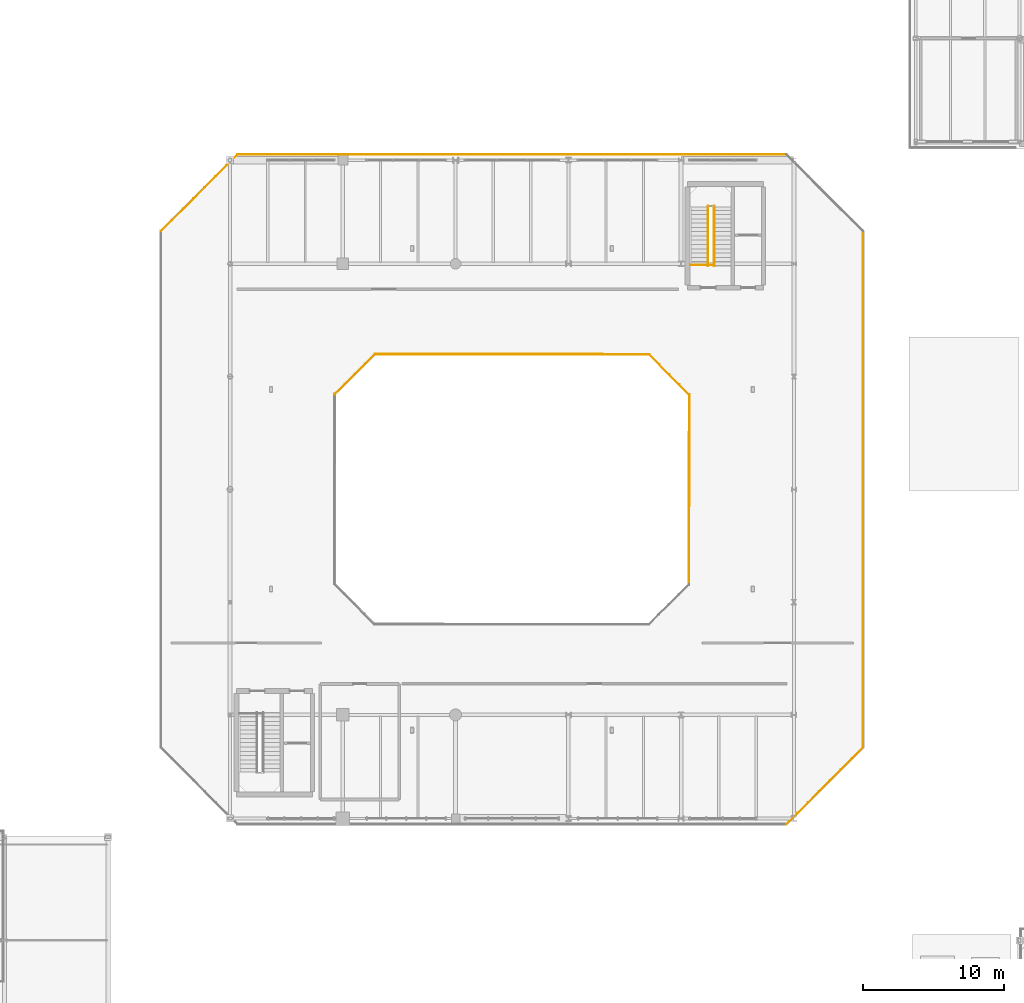
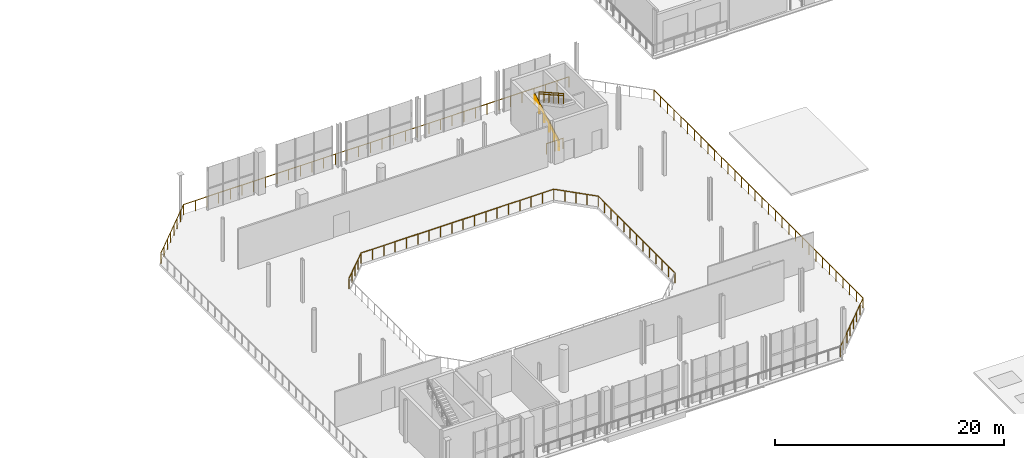
# One storey, part 48 of 51: 13 railings.
"""IFC4 building model written with IfcOpenShell, lengths in metres."""

from ifc_helpers import new_model, si_unit, direction, frame, origin, origin_2d, place, context, subcontext, project, spatial, circle, extrude, material, type_object, element, save


model = new_model("IFC4")

# Units and contexts
model_context = context("Model", 3, precision=1e-05, world=origin(), true_north=direction((0.0, 1.0)))
body_context = subcontext(model_context, "Body", "Model", "MODEL_VIEW")
ifc_project = project(units=[si_unit("LENGTHUNIT", "METRE"), si_unit("AREAUNIT", "SQUARE_METRE"), si_unit("VOLUMEUNIT", "CUBIC_METRE"), si_unit("PLANEANGLEUNIT", "RADIAN"), si_unit("MASSUNIT", "GRAM", prefix="KILO")], contexts=[model_context])

# Site, building, storey
site_placement = place(None, origin())
site = spatial("IfcSite", under=ifc_project, at=site_placement, CompositionType="ELEMENT")
building_placement = place(site_placement, origin())
building = spatial("IfcBuilding", under=site, at=building_placement, Name="Brisemont Oceanarium", CompositionType="ELEMENT")
storey_placement = place(building_placement, frame((0.0, 0.0, 15.0)))
storey = spatial("IfcBuildingStorey", under=building, at=storey_placement, Name="L03", CompositionType="ELEMENT", Elevation=15.0)

# Railings
ifc_material_1 = material(Name="Duplex Stainless Steel EN 1.4462", Category="steel")
railing_type_1 = type_object("IfcRailingType", Name="RLG-GUARD-1120", PredefinedType="GUARDRAIL", material=ifc_material_1)
railing_1_placement = place(storey_placement, frame((96.669921875, 71.909912109375, 0.0)))
element("IfcRailing", 1, at=railing_1_placement, inside=storey, type_object=railing_type_1, Name="ST-02 L03 landing edge guard", PredefinedType="GUARDRAIL", context=body_context, shape_type="SweptSolid", body=[
    extrude(circle(Radius=0.02392578125, at=origin_2d()), frame((0.0, 0.0, 1.09619140625), z_axis=(1.0, 0.0, 0.0), x_axis=(0.0, 1.0, 0.0)), (0.0, 0.0, 1.0), 1.68017578125),
    extrude(circle(Radius=0.02099609375, at=origin_2d()), origin(), (0.0, 0.0, 1.0), 1.072021484375),
    extrude(circle(Radius=0.02099609375, at=origin_2d()), frame((0.840087890625, 0.0, 0.0)), (0.0, 0.0, 1.0), 1.072021484375),
    extrude(circle(Radius=0.02099609375, at=origin_2d()), frame((1.68017578125, 0.0, 0.0)), (0.0, 0.0, 1.0), 1.072021484375),
])
railing_2_placement = place(storey_placement, frame((97.909912109375, 71.85009765625, 0.0)))
element("IfcRailing", 2, at=railing_2_placement, inside=storey, type_object=railing_type_1, Name="ST-02 L03 F1 well guard", PredefinedType="GUARDRAIL", context=body_context, shape_type="SweptSolid", body=[
    extrude(circle(Radius=0.02392578125, at=origin_2d()), frame((0.0, 0.0, 1.09619140625), z_axis=(0.0, 0.870762133844, 0.491704490791), x_axis=(-1.0, 0.0, 0.0)), (0.0, 0.0, 1.0), 4.880859375),
    extrude(circle(Radius=0.02099609375, at=origin_2d()), origin(), (0.0, 0.0, 1.0), 1.072021484375),
    extrude(circle(Radius=0.02099609375, at=origin_2d()), frame((0.0, 0.85009765625, 0.47998046875)), (0.0, 0.0, 1.0), 1.072021484375),
    extrude(circle(Radius=0.02099609375, at=origin_2d()), frame((0.0, 1.699951171875, 0.9599609375)), (0.0, 0.0, 1.0), 1.072021484375),
    extrude(circle(Radius=0.02099609375, at=origin_2d()), frame((0.0, 2.550048828125, 1.43994140625)), (0.0, 0.0, 1.0), 1.072021484375),
    extrude(circle(Radius=0.02099609375, at=origin_2d()), frame((0.0, 3.39990234375, 1.919921875)), (0.0, 0.0, 1.0), 1.072021484375),
    extrude(circle(Radius=0.02099609375, at=origin_2d()), frame((0.0, 4.25, 2.39990234375)), (0.0, 0.0, 1.0), 1.072021484375),
])
railing_3_placement = place(storey_placement, frame((98.35009765625, 76.10009765625, 2.39990234375)))
element("IfcRailing", 3, at=railing_3_placement, inside=storey, type_object=railing_type_1, Name="ST-02 L03 F2 well guard", PredefinedType="GUARDRAIL", context=body_context, shape_type="SweptSolid", body=[
    extrude(circle(Radius=0.02392578125, at=origin_2d()), frame((0.0, 0.0, 1.09619140625), z_axis=(0.0, -0.870740716755, 0.491742416499), x_axis=(1.0, 0.0, 0.0)), (0.0, 0.0, 1.0), 4.880859375),
    extrude(circle(Radius=0.02099609375, at=origin_2d()), origin(), (0.0, 0.0, 1.0), 1.072021484375),
    extrude(circle(Radius=0.02099609375, at=origin_2d()), frame((0.0, -0.85009765625, 0.47998046875)), (0.0, 0.0, 1.0), 1.072021484375),
    extrude(circle(Radius=0.02099609375, at=origin_2d()), frame((0.0, -1.699951171875, 0.9599609375)), (0.0, 0.0, 1.0), 1.072021484375),
    extrude(circle(Radius=0.02099609375, at=origin_2d()), frame((0.0, -2.550048828125, 1.440185546875)), (0.0, 0.0, 1.0), 1.072021484375),
    extrude(circle(Radius=0.02099609375, at=origin_2d()), frame((0.0, -3.39990234375, 1.920166015625)), (0.0, 0.0, 1.0), 1.072021484375),
    extrude(circle(Radius=0.02099609375, at=origin_2d()), frame((0.0, -4.25, 2.400146484375)), (0.0, 0.0, 1.0), 1.072021484375),
])
railing_4_placement = place(storey_placement, frame((59.090087890625, 74.312744140625, 0.0)))
element("IfcRailing", 4, at=railing_4_placement, inside=storey, type_object=railing_type_1, Name="L03 slab perimeter safety guard 210", PredefinedType="GUARDRAIL", context=body_context, shape_type="SweptSolid", body=[
    extrude(circle(Radius=0.02392578125, at=origin_2d()), frame((0.0, 0.0, 1.09619140625), z_axis=(0.707106781187, 0.707106781187, 0.0), x_axis=(-0.707106781187, 0.707106781187, 0.0)), (0.0, 0.0, 1.0), 7.70361328125),
    extrude(circle(Radius=0.02099609375, at=origin_2d()), origin(), (0.0, 0.0, 1.0), 1.072021484375),
    extrude(circle(Radius=0.02099609375, at=origin_2d()), frame((0.778076171875, 0.778076171875, 0.0)), (0.0, 0.0, 1.0), 1.072021484375),
    extrude(circle(Radius=0.02099609375, at=origin_2d()), frame((1.556396484375, 1.556396484375, 0.0)), (0.0, 0.0, 1.0), 1.072021484375),
    extrude(circle(Radius=0.02099609375, at=origin_2d()), frame((2.33447265625, 2.33447265625, 0.0)), (0.0, 0.0, 1.0), 1.072021484375),
    extrude(circle(Radius=0.02099609375, at=origin_2d()), frame((3.11279296875, 3.11279296875, 0.0)), (0.0, 0.0, 1.0), 1.072021484375),
    extrude(circle(Radius=0.02099609375, at=origin_2d()), frame((3.890869140625, 3.890869140625, 0.0)), (0.0, 0.0, 1.0), 1.072021484375),
    extrude(circle(Radius=0.02099609375, at=origin_2d()), frame((4.669189453125, 4.669189453125, 0.0)), (0.0, 0.0, 1.0), 1.072021484375),
    extrude(circle(Radius=0.02099609375, at=origin_2d()), frame((5.447265625, 5.447265625, 0.0)), (0.0, 0.0, 1.0), 1.072021484375),
])
railing_5_placement = place(storey_placement, frame((64.537353515625, 79.760009765625, 0.0)))
element("IfcRailing", 5, at=railing_5_placement, inside=storey, type_object=railing_type_1, Name="L03 slab perimeter safety guard 211", PredefinedType="GUARDRAIL", context=body_context, shape_type="SweptSolid", body=[
    extrude(circle(Radius=0.02392578125, at=origin_2d()), frame((0.0, 0.0, 1.09619140625), z_axis=(1.0, 0.0, 0.0), x_axis=(0.0, 1.0, 0.0)), (0.0, 0.0, 1.0), 38.92529296875),
    extrude(circle(Radius=0.02099609375, at=origin_2d()), origin(), (0.0, 0.0, 1.0), 1.072021484375),
    extrude(circle(Radius=0.02099609375, at=origin_2d()), frame((1.179443359375, 0.0, 0.0)), (0.0, 0.0, 1.0), 1.072021484375),
    extrude(circle(Radius=0.02099609375, at=origin_2d()), frame((2.359130859375, 0.0, 0.0)), (0.0, 0.0, 1.0), 1.072021484375),
    extrude(circle(Radius=0.02099609375, at=origin_2d()), frame((3.53857421875, 0.0, 0.0)), (0.0, 0.0, 1.0), 1.072021484375),
    extrude(circle(Radius=0.02099609375, at=origin_2d()), frame((4.71826171875, 0.0, 0.0)), (0.0, 0.0, 1.0), 1.072021484375),
    extrude(circle(Radius=0.02099609375, at=origin_2d()), frame((5.897705078125, 0.0, 0.0)), (0.0, 0.0, 1.0), 1.072021484375),
    extrude(circle(Radius=0.02099609375, at=origin_2d()), frame((7.077392578125, 0.0, 0.0)), (0.0, 0.0, 1.0), 1.072021484375),
    extrude(circle(Radius=0.02099609375, at=origin_2d()), frame((8.2568359375, 0.0, 0.0)), (0.0, 0.0, 1.0), 1.072021484375),
    extrude(circle(Radius=0.02099609375, at=origin_2d()), frame((9.4365234375, 0.0, 0.0)), (0.0, 0.0, 1.0), 1.072021484375),
    extrude(circle(Radius=0.02099609375, at=origin_2d()), frame((10.615966796875, 0.0, 0.0)), (0.0, 0.0, 1.0), 1.072021484375),
    extrude(circle(Radius=0.02099609375, at=origin_2d()), frame((11.795654296875, 0.0, 0.0)), (0.0, 0.0, 1.0), 1.072021484375),
    extrude(circle(Radius=0.02099609375, at=origin_2d()), frame((12.97509765625, 0.0, 0.0)), (0.0, 0.0, 1.0), 1.072021484375),
    extrude(circle(Radius=0.02099609375, at=origin_2d()), frame((14.154541015625, 0.0, 0.0)), (0.0, 0.0, 1.0), 1.072021484375),
    extrude(circle(Radius=0.02099609375, at=origin_2d()), frame((15.334228515625, 0.0, 0.0)), (0.0, 0.0, 1.0), 1.072021484375),
    extrude(circle(Radius=0.02099609375, at=origin_2d()), frame((16.513671875, 0.0, 0.0)), (0.0, 0.0, 1.0), 1.072021484375),
    extrude(circle(Radius=0.02099609375, at=origin_2d()), frame((17.693359375, 0.0, 0.0)), (0.0, 0.0, 1.0), 1.072021484375),
    extrude(circle(Radius=0.02099609375, at=origin_2d()), frame((18.872802734375, 0.0, 0.0)), (0.0, 0.0, 1.0), 1.072021484375),
    extrude(circle(Radius=0.02099609375, at=origin_2d()), frame((20.052490234375, 0.0, 0.0)), (0.0, 0.0, 1.0), 1.072021484375),
    extrude(circle(Radius=0.02099609375, at=origin_2d()), frame((21.23193359375, 0.0, 0.0)), (0.0, 0.0, 1.0), 1.072021484375),
    extrude(circle(Radius=0.02099609375, at=origin_2d()), frame((22.41162109375, 0.0, 0.0)), (0.0, 0.0, 1.0), 1.072021484375),
    extrude(circle(Radius=0.02099609375, at=origin_2d()), frame((23.591064453125, 0.0, 0.0)), (0.0, 0.0, 1.0), 1.072021484375),
    extrude(circle(Radius=0.02099609375, at=origin_2d()), frame((24.770751953125, 0.0, 0.0)), (0.0, 0.0, 1.0), 1.072021484375),
    extrude(circle(Radius=0.02099609375, at=origin_2d()), frame((25.9501953125, 0.0, 0.0)), (0.0, 0.0, 1.0), 1.072021484375),
    extrude(circle(Radius=0.02099609375, at=origin_2d()), frame((27.129638671875, 0.0, 0.0)), (0.0, 0.0, 1.0), 1.072021484375),
    extrude(circle(Radius=0.02099609375, at=origin_2d()), frame((28.309326171875, 0.0, 0.0)), (0.0, 0.0, 1.0), 1.072021484375),
    extrude(circle(Radius=0.02099609375, at=origin_2d()), frame((29.48876953125, 0.0, 0.0)), (0.0, 0.0, 1.0), 1.072021484375),
    extrude(circle(Radius=0.02099609375, at=origin_2d()), frame((30.66845703125, 0.0, 0.0)), (0.0, 0.0, 1.0), 1.072021484375),
    extrude(circle(Radius=0.02099609375, at=origin_2d()), frame((31.847900390625, 0.0, 0.0)), (0.0, 0.0, 1.0), 1.072021484375),
    extrude(circle(Radius=0.02099609375, at=origin_2d()), frame((33.027587890625, 0.0, 0.0)), (0.0, 0.0, 1.0), 1.072021484375),
    extrude(circle(Radius=0.02099609375, at=origin_2d()), frame((34.20703125, 0.0, 0.0)), (0.0, 0.0, 1.0), 1.072021484375),
    extrude(circle(Radius=0.02099609375, at=origin_2d()), frame((35.38671875, 0.0, 0.0)), (0.0, 0.0, 1.0), 1.072021484375),
    extrude(circle(Radius=0.02099609375, at=origin_2d()), frame((36.566162109375, 0.0, 0.0)), (0.0, 0.0, 1.0), 1.072021484375),
    extrude(circle(Radius=0.02099609375, at=origin_2d()), frame((37.745849609375, 0.0, 0.0)), (0.0, 0.0, 1.0), 1.072021484375),
    extrude(circle(Radius=0.02099609375, at=origin_2d()), frame((38.92529296875, 0.0, 0.0)), (0.0, 0.0, 1.0), 1.072021484375),
])
railing_6_placement = place(storey_placement, frame((108.909912109375, 74.312744140625, 0.0)))
element("IfcRailing", 6, at=railing_6_placement, inside=storey, type_object=railing_type_1, Name="L03 slab perimeter safety guard 213", PredefinedType="GUARDRAIL", context=body_context, shape_type="SweptSolid", body=[
    extrude(circle(Radius=0.02392578125, at=origin_2d()), frame((0.0, 0.0, 1.09619140625), z_axis=(0.0, -1.0, 0.0), x_axis=(1.0, 0.0, 0.0)), (0.0, 0.0, 1.0), 36.62548828125),
    extrude(circle(Radius=0.02099609375, at=origin_2d()), origin(), (0.0, 0.0, 1.0), 1.072021484375),
    extrude(circle(Radius=0.02099609375, at=origin_2d()), frame((0.0, -1.181396484375, 0.0)), (0.0, 0.0, 1.0), 1.072021484375),
    extrude(circle(Radius=0.02099609375, at=origin_2d()), frame((0.0, -2.363037109375, 0.0)), (0.0, 0.0, 1.0), 1.072021484375),
    extrude(circle(Radius=0.02099609375, at=origin_2d()), frame((0.0, -3.54443359375, 0.0)), (0.0, 0.0, 1.0), 1.072021484375),
    extrude(circle(Radius=0.02099609375, at=origin_2d()), frame((0.0, -4.725830078125, 0.0)), (0.0, 0.0, 1.0), 1.072021484375),
    extrude(circle(Radius=0.02099609375, at=origin_2d()), frame((0.0, -5.9072265625, 0.0)), (0.0, 0.0, 1.0), 1.072021484375),
    extrude(circle(Radius=0.02099609375, at=origin_2d()), frame((0.0, -7.0888671875, 0.0)), (0.0, 0.0, 1.0), 1.072021484375),
    extrude(circle(Radius=0.02099609375, at=origin_2d()), frame((0.0, -8.270263671875, 0.0)), (0.0, 0.0, 1.0), 1.072021484375),
    extrude(circle(Radius=0.02099609375, at=origin_2d()), frame((0.0, -9.45166015625, 0.0)), (0.0, 0.0, 1.0), 1.072021484375),
    extrude(circle(Radius=0.02099609375, at=origin_2d()), frame((0.0, -10.63330078125, 0.0)), (0.0, 0.0, 1.0), 1.072021484375),
    extrude(circle(Radius=0.02099609375, at=origin_2d()), frame((0.0, -11.814697265625, 0.0)), (0.0, 0.0, 1.0), 1.072021484375),
    extrude(circle(Radius=0.02099609375, at=origin_2d()), frame((0.0, -12.99609375, 0.0)), (0.0, 0.0, 1.0), 1.072021484375),
    extrude(circle(Radius=0.02099609375, at=origin_2d()), frame((0.0, -14.177490234375, 0.0)), (0.0, 0.0, 1.0), 1.072021484375),
    extrude(circle(Radius=0.02099609375, at=origin_2d()), frame((0.0, -15.359130859375, 0.0)), (0.0, 0.0, 1.0), 1.072021484375),
    extrude(circle(Radius=0.02099609375, at=origin_2d()), frame((0.0, -16.54052734375, 0.0)), (0.0, 0.0, 1.0), 1.072021484375),
    extrude(circle(Radius=0.02099609375, at=origin_2d()), frame((0.0, -17.721923828125, 0.0)), (0.0, 0.0, 1.0), 1.072021484375),
    extrude(circle(Radius=0.02099609375, at=origin_2d()), frame((0.0, -18.903564453125, 0.0)), (0.0, 0.0, 1.0), 1.072021484375),
    extrude(circle(Radius=0.02099609375, at=origin_2d()), frame((0.0, -20.0849609375, 0.0)), (0.0, 0.0, 1.0), 1.072021484375),
    extrude(circle(Radius=0.02099609375, at=origin_2d()), frame((0.0, -21.266357421875, 0.0)), (0.0, 0.0, 1.0), 1.072021484375),
    extrude(circle(Radius=0.02099609375, at=origin_2d()), frame((0.0, -22.447998046875, 0.0)), (0.0, 0.0, 1.0), 1.072021484375),
    extrude(circle(Radius=0.02099609375, at=origin_2d()), frame((0.0, -23.62939453125, 0.0)), (0.0, 0.0, 1.0), 1.072021484375),
    extrude(circle(Radius=0.02099609375, at=origin_2d()), frame((0.0, -24.810791015625, 0.0)), (0.0, 0.0, 1.0), 1.072021484375),
    extrude(circle(Radius=0.02099609375, at=origin_2d()), frame((0.0, -25.9921875, 0.0)), (0.0, 0.0, 1.0), 1.072021484375),
    extrude(circle(Radius=0.02099609375, at=origin_2d()), frame((0.0, -27.173828125, 0.0)), (0.0, 0.0, 1.0), 1.072021484375),
    extrude(circle(Radius=0.02099609375, at=origin_2d()), frame((0.0, -28.355224609375, 0.0)), (0.0, 0.0, 1.0), 1.072021484375),
    extrude(circle(Radius=0.02099609375, at=origin_2d()), frame((0.0, -29.53662109375, 0.0)), (0.0, 0.0, 1.0), 1.072021484375),
    extrude(circle(Radius=0.02099609375, at=origin_2d()), frame((0.0, -30.71826171875, 0.0)), (0.0, 0.0, 1.0), 1.072021484375),
    extrude(circle(Radius=0.02099609375, at=origin_2d()), frame((0.0, -31.899658203125, 0.0)), (0.0, 0.0, 1.0), 1.072021484375),
    extrude(circle(Radius=0.02099609375, at=origin_2d()), frame((0.0, -33.0810546875, 0.0)), (0.0, 0.0, 1.0), 1.072021484375),
    extrude(circle(Radius=0.02099609375, at=origin_2d()), frame((0.0, -34.262451171875, 0.0)), (0.0, 0.0, 1.0), 1.072021484375),
    extrude(circle(Radius=0.02099609375, at=origin_2d()), frame((0.0, -35.444091796875, 0.0)), (0.0, 0.0, 1.0), 1.072021484375),
    extrude(circle(Radius=0.02099609375, at=origin_2d()), frame((0.0, -36.62548828125, 0.0)), (0.0, 0.0, 1.0), 1.072021484375),
])
railing_7_placement = place(storey_placement, frame((108.909912109375, 37.687255859375, 0.0)))
element("IfcRailing", 7, at=railing_7_placement, inside=storey, type_object=railing_type_1, Name="L03 slab perimeter safety guard 214", PredefinedType="GUARDRAIL", context=body_context, shape_type="SweptSolid", body=[
    extrude(circle(Radius=0.02392578125, at=origin_2d()), frame((0.0, 0.0, 1.09619140625), z_axis=(-0.707106781187, -0.707106781187, 0.0), x_axis=(0.707106781187, -0.707106781187, 0.0)), (0.0, 0.0, 1.0), 7.70361328125),
    extrude(circle(Radius=0.02099609375, at=origin_2d()), origin(), (0.0, 0.0, 1.0), 1.072021484375),
    extrude(circle(Radius=0.02099609375, at=origin_2d()), frame((-0.778076171875, -0.778076171875, 0.0)), (0.0, 0.0, 1.0), 1.072021484375),
    extrude(circle(Radius=0.02099609375, at=origin_2d()), frame((-1.556396484375, -1.556396484375, 0.0)), (0.0, 0.0, 1.0), 1.072021484375),
    extrude(circle(Radius=0.02099609375, at=origin_2d()), frame((-2.33447265625, -2.33447265625, 0.0)), (0.0, 0.0, 1.0), 1.072021484375),
    extrude(circle(Radius=0.02099609375, at=origin_2d()), frame((-3.11279296875, -3.11279296875, 0.0)), (0.0, 0.0, 1.0), 1.072021484375),
    extrude(circle(Radius=0.02099609375, at=origin_2d()), frame((-3.890869140625, -3.890869140625, 0.0)), (0.0, 0.0, 1.0), 1.072021484375),
    extrude(circle(Radius=0.02099609375, at=origin_2d()), frame((-4.669189453125, -4.669189453125, 0.0)), (0.0, 0.0, 1.0), 1.072021484375),
    extrude(circle(Radius=0.02099609375, at=origin_2d()), frame((-5.447265625, -5.447265625, 0.0)), (0.0, 0.0, 1.0), 1.072021484375),
])
railing_8_placement = place(storey_placement, frame((96.557861328125, 49.23046875, 0.0)))
element("IfcRailing", 8, at=railing_8_placement, inside=storey, type_object=railing_type_1, Name="L03 slab perimeter safety guard 217", PredefinedType="GUARDRAIL", context=body_context, shape_type="SweptSolid", body=[
    extrude(circle(Radius=0.02392578125, at=origin_2d()), frame((0.0, 0.0, 1.09619140625), z_axis=(0.002282313327, 0.99999739552, 0.0), x_axis=(-0.99999739552, 0.002282313327, 0.0)), (0.0, 0.0, 1.0), 13.478271484375),
    extrude(circle(Radius=0.02099609375, at=origin_2d()), origin(), (0.0, 0.0, 1.0), 1.072021484375),
    extrude(circle(Radius=0.02099609375, at=origin_2d()), frame((0.00244140625, 1.123291015625, 0.0)), (0.0, 0.0, 1.0), 1.072021484375),
    extrude(circle(Radius=0.02099609375, at=origin_2d()), frame((0.005126953125, 2.246337890625, 0.0)), (0.0, 0.0, 1.0), 1.072021484375),
    extrude(circle(Radius=0.02099609375, at=origin_2d()), frame((0.0078125, 3.36962890625, 0.0)), (0.0, 0.0, 1.0), 1.072021484375),
    extrude(circle(Radius=0.02099609375, at=origin_2d()), frame((0.01025390625, 4.49267578125, 0.0)), (0.0, 0.0, 1.0), 1.072021484375),
    extrude(circle(Radius=0.02099609375, at=origin_2d()), frame((0.0126953125, 5.615966796875, 0.0)), (0.0, 0.0, 1.0), 1.072021484375),
    extrude(circle(Radius=0.02099609375, at=origin_2d()), frame((0.015380859375, 6.7392578125, 0.0)), (0.0, 0.0, 1.0), 1.072021484375),
    extrude(circle(Radius=0.02099609375, at=origin_2d()), frame((0.01806640625, 7.8623046875, 0.0)), (0.0, 0.0, 1.0), 1.072021484375),
    extrude(circle(Radius=0.02099609375, at=origin_2d()), frame((0.0205078125, 8.985595703125, 0.0)), (0.0, 0.0, 1.0), 1.072021484375),
    extrude(circle(Radius=0.02099609375, at=origin_2d()), frame((0.02294921875, 10.108642578125, 0.0)), (0.0, 0.0, 1.0), 1.072021484375),
    extrude(circle(Radius=0.02099609375, at=origin_2d()), frame((0.025634765625, 11.23193359375, 0.0)), (0.0, 0.0, 1.0), 1.072021484375),
    extrude(circle(Radius=0.02099609375, at=origin_2d()), frame((0.0283203125, 12.35498046875, 0.0)), (0.0, 0.0, 1.0), 1.072021484375),
    extrude(circle(Radius=0.02099609375, at=origin_2d()), frame((0.03076171875, 13.478271484375, 0.0)), (0.0, 0.0, 1.0), 1.072021484375),
])
railing_9_placement = place(storey_placement, frame((96.588623046875, 62.708740234375, 0.0)))
element("IfcRailing", 9, at=railing_9_placement, inside=storey, type_object=railing_type_1, Name="L03 slab perimeter safety guard 218", PredefinedType="GUARDRAIL", context=body_context, shape_type="SweptSolid", body=[
    extrude(circle(Radius=0.02392578125, at=origin_2d()), frame((0.0, 0.0, 1.09619140625), z_axis=(-0.704045165241, 0.710155198038, 0.0), x_axis=(-0.710155198038, -0.704045165241, 0.0)), (0.0, 0.0, 1.0), 4.03564453125),
    extrude(circle(Radius=0.02099609375, at=origin_2d()), origin(), (0.0, 0.0, 1.0), 1.072021484375),
    extrude(circle(Radius=0.02099609375, at=origin_2d()), frame((-0.71044921875, 0.716552734375, 0.0)), (0.0, 0.0, 1.0), 1.072021484375),
    extrude(circle(Radius=0.02099609375, at=origin_2d()), frame((-1.420654296875, 1.43310546875, 0.0)), (0.0, 0.0, 1.0), 1.072021484375),
    extrude(circle(Radius=0.02099609375, at=origin_2d()), frame((-2.130859375, 2.1494140625, 0.0)), (0.0, 0.0, 1.0), 1.072021484375),
    extrude(circle(Radius=0.02099609375, at=origin_2d()), frame((-2.84130859375, 2.865966796875, 0.0)), (0.0, 0.0, 1.0), 1.072021484375),
])
railing_10_placement = place(storey_placement, frame((93.747314453125, 65.57470703125, 0.0)))
element("IfcRailing", 10, at=railing_10_placement, inside=storey, type_object=railing_type_1, Name="L03 slab perimeter safety guard 219", PredefinedType="GUARDRAIL", context=body_context, shape_type="SweptSolid", body=[
    extrude(circle(Radius=0.02392578125, at=origin_2d()), frame((0.0, 0.0, 1.09619140625), z_axis=(-0.999999735099, 0.000727874914, 0.0), x_axis=(-0.000727874914, -0.999999735099, 0.0)), (0.0, 0.0, 1.0), 19.4541015625),
    extrude(circle(Radius=0.02099609375, at=origin_2d()), origin(), (0.0, 0.0, 1.0), 1.072021484375),
    extrude(circle(Radius=0.02099609375, at=origin_2d()), frame((-1.144287109375, 0.000732421875, 0.0)), (0.0, 0.0, 1.0), 1.072021484375),
    extrude(circle(Radius=0.02099609375, at=origin_2d()), frame((-2.288818359375, 0.001708984375, 0.0)), (0.0, 0.0, 1.0), 1.072021484375),
    extrude(circle(Radius=0.02099609375, at=origin_2d()), frame((-3.43310546875, 0.00244140625, 0.0)), (0.0, 0.0, 1.0), 1.072021484375),
    extrude(circle(Radius=0.02099609375, at=origin_2d()), frame((-4.577392578125, 0.00341796875, 0.0)), (0.0, 0.0, 1.0), 1.072021484375),
    extrude(circle(Radius=0.02099609375, at=origin_2d()), frame((-5.7216796875, 0.004150390625, 0.0)), (0.0, 0.0, 1.0), 1.072021484375),
    extrude(circle(Radius=0.02099609375, at=origin_2d()), frame((-6.8662109375, 0.0048828125, 0.0)), (0.0, 0.0, 1.0), 1.072021484375),
    extrude(circle(Radius=0.02099609375, at=origin_2d()), frame((-8.010498046875, 0.005859375, 0.0)), (0.0, 0.0, 1.0), 1.072021484375),
    extrude(circle(Radius=0.02099609375, at=origin_2d()), frame((-9.15478515625, 0.006591796875, 0.0)), (0.0, 0.0, 1.0), 1.072021484375),
    extrude(circle(Radius=0.02099609375, at=origin_2d()), frame((-10.29931640625, 0.007568359375, 0.0)), (0.0, 0.0, 1.0), 1.072021484375),
    extrude(circle(Radius=0.02099609375, at=origin_2d()), frame((-11.443603515625, 0.00830078125, 0.0)), (0.0, 0.0, 1.0), 1.072021484375),
    extrude(circle(Radius=0.02099609375, at=origin_2d()), frame((-12.587890625, 0.00927734375, 0.0)), (0.0, 0.0, 1.0), 1.072021484375),
    extrude(circle(Radius=0.02099609375, at=origin_2d()), frame((-13.732421875, 0.010009765625, 0.0)), (0.0, 0.0, 1.0), 1.072021484375),
    extrude(circle(Radius=0.02099609375, at=origin_2d()), frame((-14.876708984375, 0.0107421875, 0.0)), (0.0, 0.0, 1.0), 1.072021484375),
    extrude(circle(Radius=0.02099609375, at=origin_2d()), frame((-16.02099609375, 0.01171875, 0.0)), (0.0, 0.0, 1.0), 1.072021484375),
    extrude(circle(Radius=0.02099609375, at=origin_2d()), frame((-17.165283203125, 0.012451171875, 0.0)), (0.0, 0.0, 1.0), 1.072021484375),
    extrude(circle(Radius=0.02099609375, at=origin_2d()), frame((-18.309814453125, 0.013427734375, 0.0)), (0.0, 0.0, 1.0), 1.072021484375),
    extrude(circle(Radius=0.02099609375, at=origin_2d()), frame((-19.4541015625, 0.01416015625, 0.0)), (0.0, 0.0, 1.0), 1.072021484375),
])
railing_11_placement = place(storey_placement, frame((74.293212890625, 65.5888671875, 0.0)))
element("IfcRailing", 11, at=railing_11_placement, inside=storey, type_object=railing_type_1, Name="L03 slab perimeter safety guard 220", PredefinedType="GUARDRAIL", context=body_context, shape_type="SweptSolid", body=[
    extrude(circle(Radius=0.02392578125, at=origin_2d()), frame((0.0, 0.0, 1.09619140625), z_axis=(-0.710364729642, -0.703833752303, 0.0), x_axis=(0.703833752303, -0.710364729642, 0.0)), (0.0, 0.0, 1.0), 4.037353515625),
    extrude(circle(Radius=0.02099609375, at=origin_2d()), origin(), (0.0, 0.0, 1.0), 1.072021484375),
    extrude(circle(Radius=0.02099609375, at=origin_2d()), frame((-0.717041015625, -0.71044921875, 0.0)), (0.0, 0.0, 1.0), 1.072021484375),
    extrude(circle(Radius=0.02099609375, at=origin_2d()), frame((-1.43408203125, -1.4208984375, 0.0)), (0.0, 0.0, 1.0), 1.072021484375),
    extrude(circle(Radius=0.02099609375, at=origin_2d()), frame((-2.15087890625, -2.131103515625, 0.0)), (0.0, 0.0, 1.0), 1.072021484375),
    extrude(circle(Radius=0.02099609375, at=origin_2d()), frame((-2.867919921875, -2.841552734375, 0.0)), (0.0, 0.0, 1.0), 1.072021484375),
])
ifc_material_2 = material(Name="Duplex Stainless Steel EN 1.4462", Category="steel")
railing_type_2 = type_object("IfcRailingType", Name="RLG-HAND-900", PredefinedType="HANDRAIL", material=ifc_material_2)
railing_12_placement = place(storey_placement, frame((97.909912109375, 71.85009765625, 0.0)))
element("IfcRailing", 12, at=railing_12_placement, inside=storey, type_object=railing_type_2, Name="ST-02 L03 F1 handrail", PredefinedType="HANDRAIL", context=body_context, shape_type="SweptSolid", body=[
    extrude(circle(Radius=0.02392578125, at=origin_2d()), frame((0.0, 0.0, 0.8759765625), z_axis=(0.0, 0.870762133844, 0.491704490791), x_axis=(-1.0, 0.0, 0.0)), (0.0, 0.0, 1.0), 4.880859375),
    extrude(circle(Radius=0.02099609375, at=origin_2d()), origin(), (0.0, 0.0, 1.0), 0.851806640625),
    extrude(circle(Radius=0.02099609375, at=origin_2d()), frame((0.0, 0.85009765625, 0.47998046875)), (0.0, 0.0, 1.0), 0.851806640625),
    extrude(circle(Radius=0.02099609375, at=origin_2d()), frame((0.0, 1.699951171875, 0.9599609375)), (0.0, 0.0, 1.0), 0.851806640625),
    extrude(circle(Radius=0.02099609375, at=origin_2d()), frame((0.0, 2.550048828125, 1.43994140625)), (0.0, 0.0, 1.0), 0.851806640625),
    extrude(circle(Radius=0.02099609375, at=origin_2d()), frame((0.0, 3.39990234375, 1.919921875)), (0.0, 0.0, 1.0), 0.851806640625),
    extrude(circle(Radius=0.02099609375, at=origin_2d()), frame((0.0, 4.25, 2.39990234375)), (0.0, 0.0, 1.0), 0.851806640625),
])
railing_13_placement = place(storey_placement, frame((98.35009765625, 76.10009765625, 2.39990234375)))
element("IfcRailing", 13, at=railing_13_placement, inside=storey, type_object=railing_type_2, Name="ST-02 L03 F2 handrail", PredefinedType="HANDRAIL", context=body_context, shape_type="SweptSolid", body=[
    extrude(circle(Radius=0.02392578125, at=origin_2d()), frame((0.0, 0.0, 0.8759765625), z_axis=(0.0, -0.870740716755, 0.491742416499), x_axis=(1.0, 0.0, 0.0)), (0.0, 0.0, 1.0), 4.880859375),
    extrude(circle(Radius=0.02099609375, at=origin_2d()), origin(), (0.0, 0.0, 1.0), 0.851806640625),
    extrude(circle(Radius=0.02099609375, at=origin_2d()), frame((0.0, -0.85009765625, 0.47998046875)), (0.0, 0.0, 1.0), 0.851806640625),
    extrude(circle(Radius=0.02099609375, at=origin_2d()), frame((0.0, -1.699951171875, 0.9599609375)), (0.0, 0.0, 1.0), 0.851806640625),
    extrude(circle(Radius=0.02099609375, at=origin_2d()), frame((0.0, -2.550048828125, 1.440185546875)), (0.0, 0.0, 1.0), 0.851806640625),
    extrude(circle(Radius=0.02099609375, at=origin_2d()), frame((0.0, -3.39990234375, 1.920166015625)), (0.0, 0.0, 1.0), 0.851806640625),
    extrude(circle(Radius=0.02099609375, at=origin_2d()), frame((0.0, -4.25, 2.400146484375)), (0.0, 0.0, 1.0), 0.851806640625),
])

save(model, "model.ifc")
